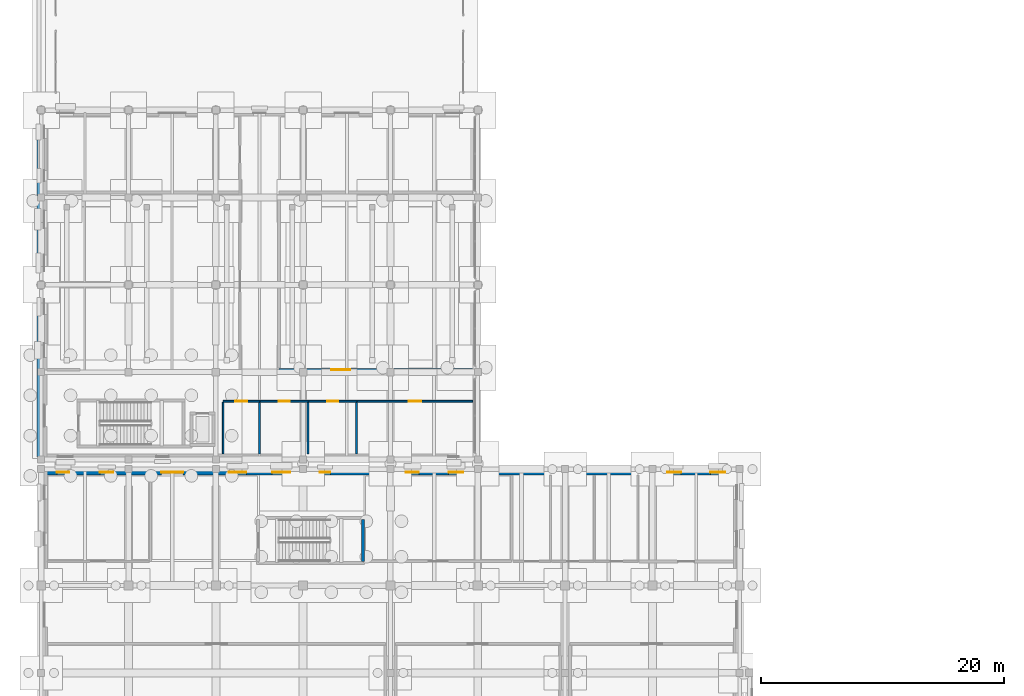
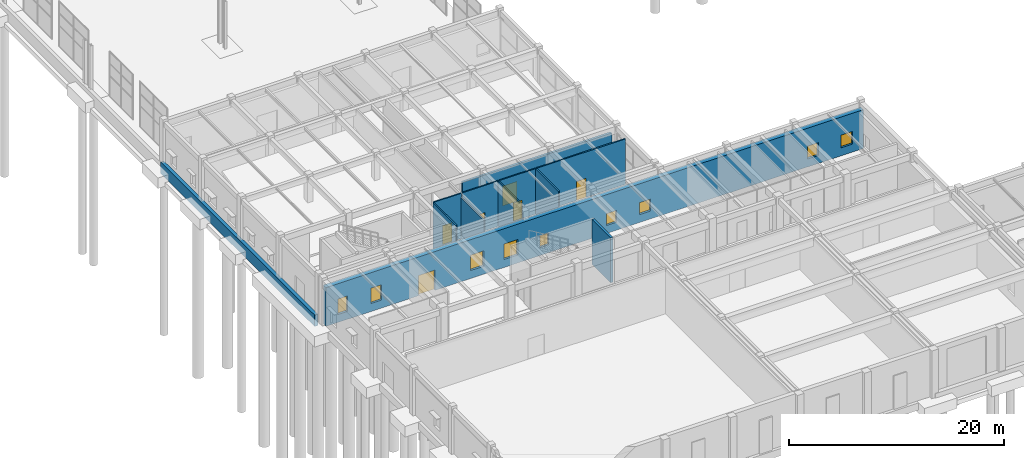
# One storey, part 67 of 91: 12 walls, 9 windows, 6 doors, 15 openings.
"""IFC4 building model written with IfcOpenShell, lengths in metres."""

from ifc_helpers import new_model, si_unit, direction, frame, frame_2d, origin, place, context, subcontext, project, spatial, rectangle, extrude, material, layer, layer_set, type_object, element, fill, save


model = new_model("IFC4")

# Units and contexts
model_context = context("Model", 3, precision=1e-05, world=origin(), true_north=direction((0.0, 1.0)))
body_context = subcontext(model_context, "Body", "Model", "MODEL_VIEW")
ifc_project = project(units=[si_unit("LENGTHUNIT", "METRE"), si_unit("AREAUNIT", "SQUARE_METRE"), si_unit("VOLUMEUNIT", "CUBIC_METRE"), si_unit("PLANEANGLEUNIT", "RADIAN"), si_unit("MASSUNIT", "GRAM", prefix="KILO")], contexts=[model_context])

# Site, building, storey
site_placement = place(None, origin())
site = spatial("IfcSite", under=ifc_project, at=site_placement, CompositionType="ELEMENT")
building_placement = place(site_placement, origin())
building = spatial("IfcBuilding", under=site, at=building_placement, Name="Bramveld Media Centre", CompositionType="ELEMENT")
storey_placement = place(building_placement, origin())
storey = spatial("IfcBuildingStorey", under=building, at=storey_placement, Name="L00", CompositionType="ELEMENT", Elevation=0.0)

# Wall
ifc_material_1 = material(Name="Concrete C40/50 stair & lift core wall", Category="concrete")
ifc_layer_1 = layer(ifc_material_1, 0.25)
ifc_layer_set_1 = layer_set([ifc_layer_1], Name="Concrete C40/50 stair & lift core wall")
wall_type_1 = type_object("IfcWallType", Name="CWALL-SHEAR-250", PredefinedType="SHEAR", material=ifc_layer_set_1)
wall_1_placement = place(storey_placement, frame((26.52490234375, 30.800048828125, 0.0), z_axis=(0.0, 0.0, 1.0), x_axis=(0.0, 1.0, 0.0)))
element("IfcWall", 1, at=wall_1_placement, inside=storey, type_object=wall_type_1, Name="ST-05 L00 stair core shear wall E", PredefinedType="SHEAR", context=body_context, shape_type="SweptSolid", body=[
    extrude(rectangle(XDim=3.449951171875, YDim=0.25, at=frame_2d((1.72509765625, 0.0))), origin(), (0.0, 0.0, 1.0), 5.10009765625),
])

# Wall, openings, door, windows
ifc_material_2 = material(Name="Double-leaf Concrete C40/50 cinema acoustic shell wall with brick outer leaf", Category="masonry")
ifc_layer_2 = layer(ifc_material_2, 0.5)
ifc_layer_set_2 = layer_set([ifc_layer_2], Name="Double-leaf Concrete C40/50 cinema acoustic shell wall with brick outer leaf")
wall_type_2 = type_object("IfcWallType", Name="EW-ACOU-500", PredefinedType="SOLIDWALL", material=ifc_layer_set_2)
wall_2_placement = place(storey_placement, frame((0.0, 38.14990234375, 0.0), z_axis=(0.0, 0.0, 1.0), x_axis=(1.0, 0.0, 0.0)))
wall_2 = element("IfcWall", 2, at=wall_2_placement, inside=storey, type_object=wall_type_2, Name="V2 L00 N facing brick exterior wall", PredefinedType="SOLIDWALL", context=body_context, shape_type="SweptSolid", body=[
    extrude(rectangle(XDim=57.60009765625, YDim=0.5, at=frame_2d((28.800048828125, 0.0))), origin(), (0.0, 0.0, 1.0), 4.39501953125),
])
opening_1_placement = place(wall_2_placement, frame((9.89990234375, 0.0, 0.0)))
opening_1 = element("IfcOpeningElement", 3, at=opening_1_placement, cuts=wall_2, Name="Opening ED-19", PredefinedType="OPENING", context=body_context, shape_type="SweptSolid", body=[
    extrude(rectangle(XDim=1.800048828125, YDim=2.300048828125, at=frame_2d((0.89990234375, 1.14990234375))), frame((0.0, 0.261962890625, 0.0), z_axis=(0.0, -1.0, 0.0), x_axis=(1.0, 0.0, 0.0)), (0.0, 0.0, 1.0), 0.52392578125),
])
opening_2_placement = place(wall_2_placement, frame((1.300048828125, 0.0, 0.89990234375)))
opening_2 = element("IfcOpeningElement", 4, at=opening_2_placement, cuts=wall_2, Name="Opening W-19", PredefinedType="OPENING", context=body_context, shape_type="SweptSolid", body=[
    extrude(rectangle(XDim=1.0, YDim=1.75, at=frame_2d((0.5, 0.875))), frame((0.0, 0.261962890625, 0.0), z_axis=(0.0, -1.0, 0.0), x_axis=(1.0, 0.0, 0.0)), (0.0, 0.0, 1.0), 0.52392578125),
])
opening_3_placement = place(wall_2_placement, frame((4.840087890625, 0.0, 0.89990234375)))
opening_3 = element("IfcOpeningElement", 5, at=opening_3_placement, cuts=wall_2, Name="Opening W-20", PredefinedType="OPENING", context=body_context, shape_type="SweptSolid", body=[
    extrude(rectangle(XDim=1.1201171875, YDim=1.75, at=frame_2d((0.56005859375, 0.875))), frame((0.0, 0.261962890625, 0.0), z_axis=(0.0, -1.0, 0.0), x_axis=(1.0, 0.0, 0.0)), (0.0, 0.0, 1.0), 0.52392578125),
])
opening_4_placement = place(wall_2_placement, frame((15.47998046875, 0.0, 0.89990234375)))
opening_4 = element("IfcOpeningElement", 6, at=opening_4_placement, cuts=wall_2, Name="Opening W-23", PredefinedType="OPENING", context=body_context, shape_type="SweptSolid", body=[
    extrude(rectangle(XDim=1.43994140625, YDim=1.75, at=frame_2d((0.719970703125, 0.875))), frame((0.0, 0.261962890625, 0.0), z_axis=(0.0, -1.0, 0.0), x_axis=(1.0, 0.0, 0.0)), (0.0, 0.0, 1.0), 0.52392578125),
])
opening_5_placement = place(wall_2_placement, frame((19.050048828125, 0.0, 0.89990234375)))
opening_5 = element("IfcOpeningElement", 7, at=opening_5_placement, cuts=wall_2, Name="Opening W-24", PredefinedType="OPENING", context=body_context, shape_type="SweptSolid", body=[
    extrude(rectangle(XDim=1.5, YDim=1.75, at=frame_2d((0.75, 0.875))), frame((0.0, 0.261962890625, 0.0), z_axis=(0.0, -1.0, 0.0), x_axis=(1.0, 0.0, 0.0)), (0.0, 0.0, 1.0), 0.52392578125),
])
opening_6_placement = place(wall_2_placement, frame((22.949951171875, 0.0, 0.89990234375)))
opening_6 = element("IfcOpeningElement", 8, at=opening_6_placement, cuts=wall_2, Name="Opening W-01", PredefinedType="OPENING", context=body_context, shape_type="SweptSolid", body=[
    extrude(rectangle(XDim=0.89990234375, YDim=1.35009765625, at=frame_2d((0.449951171875, 0.675048828125))), frame((0.0, 0.261962890625, 0.0), z_axis=(0.0, -1.0, 0.0), x_axis=(1.0, 0.0, 0.0)), (0.0, 0.0, 1.0), 0.52392578125),
])
opening_7_placement = place(wall_2_placement, frame((30.050048828125, 0.0, 0.89990234375)))
opening_7 = element("IfcOpeningElement", 9, at=opening_7_placement, cuts=wall_2, Name="Opening W-03", PredefinedType="OPENING", context=body_context, shape_type="SweptSolid", body=[
    extrude(rectangle(XDim=1.10009765625, YDim=1.35009765625, at=frame_2d((0.550048828125, 0.675048828125))), frame((0.0, 0.261962890625, 0.0), z_axis=(0.0, -1.0, 0.0), x_axis=(1.0, 0.0, 0.0)), (0.0, 0.0, 1.0), 0.52392578125),
])
opening_8_placement = place(wall_2_placement, frame((33.60009765625, 0.0, 0.89990234375)))
opening_8 = element("IfcOpeningElement", 10, at=opening_8_placement, cuts=wall_2, Name="Opening W-04", PredefinedType="OPENING", context=body_context, shape_type="SweptSolid", body=[
    extrude(rectangle(XDim=1.199951171875, YDim=1.35009765625, at=frame_2d((0.60009765625, 0.675048828125))), frame((0.0, 0.261962890625, 0.0), z_axis=(0.0, -1.0, 0.0), x_axis=(1.0, 0.0, 0.0)), (0.0, 0.0, 1.0), 0.52392578125),
])
opening_9_placement = place(wall_2_placement, frame((51.625, 0.0, 0.89990234375)))
opening_9 = element("IfcOpeningElement", 11, at=opening_9_placement, cuts=wall_2, Name="Opening W-09", PredefinedType="OPENING", context=body_context, shape_type="SweptSolid", body=[
    extrude(rectangle(XDim=1.14990234375, YDim=1.449951171875, at=frame_2d((0.574951171875, 0.72509765625))), frame((0.0, 0.261962890625, 0.0), z_axis=(0.0, -1.0, 0.0), x_axis=(1.0, 0.0, 0.0)), (0.0, 0.0, 1.0), 0.52392578125),
])
opening_10_placement = place(wall_2_placement, frame((55.175048828125, 0.0, 0.89990234375)))
opening_10 = element("IfcOpeningElement", 12, at=opening_10_placement, cuts=wall_2, Name="Opening W-10", PredefinedType="OPENING", context=body_context, shape_type="SweptSolid", body=[
    extrude(rectangle(XDim=1.25, YDim=1.449951171875, at=frame_2d((0.625, 0.72509765625))), frame((0.0, 0.261962890625, 0.0), z_axis=(0.0, -1.0, 0.0), x_axis=(1.0, 0.0, 0.0)), (0.0, 0.0, 1.0), 0.52392578125),
])
ifc_material_3 = material(Name="Insulated powder-coated bronze aluminium & laminated safety glass door", Category="aluminium")
door_type_1 = type_object("IfcDoorType", Name="DR-EXT-1800", OperationType="NOTDEFINED", PredefinedType="DOOR", material=ifc_material_3)
door_1_placement = place(opening_1_placement, origin())
door_1 = element("IfcDoor", 13, at=door_1_placement, inside=storey, type_object=door_type_1, Name="Exterior door ED-19", OperationType="DOUBLE_DOOR_SINGLE_SWING", OverallHeight=2.300048828125, OverallWidth=1.800048828125, PredefinedType="DOOR", context=body_context, shape_type="SweptSolid", body=[
    extrude(rectangle(XDim=1.800048828125, YDim=2.300048828125, at=frame_2d((0.89990234375, 1.14990234375))), frame((0.0, 0.02490234375, 0.0), z_axis=(0.0, -1.0, 0.0), x_axis=(1.0, 0.0, 0.0)), (0.0, 0.0, 1.0), 0.050048828125),
])
fill(opening_1, door_1)
ifc_material_4 = material(Name="Thermally broken anodized bronze aluminium frame with triple acoustic glazing", Category="aluminium")
window_type_1 = type_object("IfcWindowType", Name="WIN-FAC-01", PartitioningType="SINGLE_PANEL", PredefinedType="WINDOW", material=ifc_material_4)
window_1_placement = place(opening_6_placement, origin())
window_1 = element("IfcWindow", 14, at=window_1_placement, inside=storey, type_object=window_type_1, Name="V2 L00 N acoustic facade window", OverallHeight=1.35009765625, OverallWidth=0.89990234375, PartitioningType="SINGLE_PANEL", PredefinedType="WINDOW", context=body_context, shape_type="SweptSolid", body=[
    extrude(rectangle(XDim=0.89990234375, YDim=1.35009765625, at=frame_2d((0.449951171875, 0.675048828125))), frame((0.0, 0.030029296875, 0.0), z_axis=(0.0, -1.0, 0.0), x_axis=(1.0, 0.0, 0.0)), (0.0, 0.0, 1.0), 0.06005859375),
])
fill(opening_6, window_1)
ifc_material_5 = material(Name="Thermally broken anodized bronze aluminium frame with triple acoustic glazing", Category="aluminium")
window_type_2 = type_object("IfcWindowType", Name="WIN-FAC-03", PartitioningType="SINGLE_PANEL", PredefinedType="WINDOW", material=ifc_material_5)
window_2_placement = place(opening_7_placement, origin())
window_2 = element("IfcWindow", 15, at=window_2_placement, inside=storey, type_object=window_type_2, Name="V2 L00 N acoustic facade window", OverallHeight=1.35009765625, OverallWidth=1.10009765625, PartitioningType="SINGLE_PANEL", PredefinedType="WINDOW", context=body_context, shape_type="SweptSolid", body=[
    extrude(rectangle(XDim=1.10009765625, YDim=1.35009765625, at=frame_2d((0.550048828125, 0.675048828125))), frame((0.0, 0.030029296875, 0.0), z_axis=(0.0, -1.0, 0.0), x_axis=(1.0, 0.0, 0.0)), (0.0, 0.0, 1.0), 0.06005859375),
])
fill(opening_7, window_2)
ifc_material_6 = material(Name="Thermally broken anodized bronze aluminium frame with triple acoustic glazing", Category="aluminium")
window_type_3 = type_object("IfcWindowType", Name="WIN-FAC-04", PartitioningType="SINGLE_PANEL", PredefinedType="WINDOW", material=ifc_material_6)
window_3_placement = place(opening_8_placement, origin())
window_3 = element("IfcWindow", 16, at=window_3_placement, inside=storey, type_object=window_type_3, Name="V2 L00 N acoustic facade window", OverallHeight=1.35009765625, OverallWidth=1.199951171875, PartitioningType="SINGLE_PANEL", PredefinedType="WINDOW", context=body_context, shape_type="SweptSolid", body=[
    extrude(rectangle(XDim=1.199951171875, YDim=1.35009765625, at=frame_2d((0.60009765625, 0.675048828125))), frame((0.0, 0.030029296875, 0.0), z_axis=(0.0, -1.0, 0.0), x_axis=(1.0, 0.0, 0.0)), (0.0, 0.0, 1.0), 0.06005859375),
])
fill(opening_8, window_3)
ifc_material_7 = material(Name="Thermally broken anodized bronze aluminium frame with triple acoustic glazing", Category="aluminium")
window_type_4 = type_object("IfcWindowType", Name="WIN-FAC-09", PartitioningType="SINGLE_PANEL", PredefinedType="WINDOW", material=ifc_material_7)
window_4_placement = place(opening_9_placement, origin())
window_4 = element("IfcWindow", 17, at=window_4_placement, inside=storey, type_object=window_type_4, Name="V2 L00 N acoustic facade window", OverallHeight=1.449951171875, OverallWidth=1.14990234375, PartitioningType="SINGLE_PANEL", PredefinedType="WINDOW", context=body_context, shape_type="SweptSolid", body=[
    extrude(rectangle(XDim=1.14990234375, YDim=1.449951171875, at=frame_2d((0.574951171875, 0.72509765625))), frame((0.0, 0.030029296875, 0.0), z_axis=(0.0, -1.0, 0.0), x_axis=(1.0, 0.0, 0.0)), (0.0, 0.0, 1.0), 0.06005859375),
])
fill(opening_9, window_4)
ifc_material_8 = material(Name="Thermally broken anodized bronze aluminium frame with triple acoustic glazing", Category="aluminium")
window_type_5 = type_object("IfcWindowType", Name="WIN-FAC-10", PartitioningType="SINGLE_PANEL", PredefinedType="WINDOW", material=ifc_material_8)
window_5_placement = place(opening_10_placement, origin())
window_5 = element("IfcWindow", 18, at=window_5_placement, inside=storey, type_object=window_type_5, Name="V2 L00 N acoustic facade window", OverallHeight=1.449951171875, OverallWidth=1.25, PartitioningType="SINGLE_PANEL", PredefinedType="WINDOW", context=body_context, shape_type="SweptSolid", body=[
    extrude(rectangle(XDim=1.25, YDim=1.449951171875, at=frame_2d((0.625, 0.72509765625))), frame((0.0, 0.030029296875, 0.0), z_axis=(0.0, -1.0, 0.0), x_axis=(1.0, 0.0, 0.0)), (0.0, 0.0, 1.0), 0.06005859375),
])
fill(opening_10, window_5)
ifc_material_9 = material(Name="Thermally broken anodized bronze aluminium frame with triple acoustic glazing", Category="aluminium")
window_type_6 = type_object("IfcWindowType", Name="WIN-FAC-19", PartitioningType="SINGLE_PANEL", PredefinedType="WINDOW", material=ifc_material_9)
window_6_placement = place(opening_2_placement, origin())
window_6 = element("IfcWindow", 19, at=window_6_placement, inside=storey, type_object=window_type_6, Name="V2 L00 N acoustic facade window", OverallHeight=1.75, OverallWidth=1.0, PartitioningType="SINGLE_PANEL", PredefinedType="WINDOW", context=body_context, shape_type="SweptSolid", body=[
    extrude(rectangle(XDim=1.0, YDim=1.75, at=frame_2d((0.5, 0.875))), frame((0.0, 0.030029296875, 0.0), z_axis=(0.0, -1.0, 0.0), x_axis=(1.0, 0.0, 0.0)), (0.0, 0.0, 1.0), 0.06005859375),
])
fill(opening_2, window_6)
ifc_material_10 = material(Name="Thermally broken anodized bronze aluminium frame with triple acoustic glazing", Category="aluminium")
window_type_7 = type_object("IfcWindowType", Name="WIN-FAC-20", PartitioningType="SINGLE_PANEL", PredefinedType="WINDOW", material=ifc_material_10)
window_7_placement = place(opening_3_placement, origin())
window_7 = element("IfcWindow", 20, at=window_7_placement, inside=storey, type_object=window_type_7, Name="V2 L00 N acoustic facade window", OverallHeight=1.75, OverallWidth=1.1201171875, PartitioningType="SINGLE_PANEL", PredefinedType="WINDOW", context=body_context, shape_type="SweptSolid", body=[
    extrude(rectangle(XDim=1.1201171875, YDim=1.75, at=frame_2d((0.56005859375, 0.875))), frame((0.0, 0.030029296875, 0.0), z_axis=(0.0, -1.0, 0.0), x_axis=(1.0, 0.0, 0.0)), (0.0, 0.0, 1.0), 0.06005859375),
])
fill(opening_3, window_7)
ifc_material_11 = material(Name="Thermally broken anodized bronze aluminium frame with triple acoustic glazing", Category="aluminium")
window_type_8 = type_object("IfcWindowType", Name="WIN-FAC-23", PartitioningType="SINGLE_PANEL", PredefinedType="WINDOW", material=ifc_material_11)
window_8_placement = place(opening_4_placement, origin())
window_8 = element("IfcWindow", 21, at=window_8_placement, inside=storey, type_object=window_type_8, Name="V2 L00 N acoustic facade window", OverallHeight=1.75, OverallWidth=1.43994140625, PartitioningType="SINGLE_PANEL", PredefinedType="WINDOW", context=body_context, shape_type="SweptSolid", body=[
    extrude(rectangle(XDim=1.43994140625, YDim=1.75, at=frame_2d((0.719970703125, 0.875))), frame((0.0, 0.030029296875, 0.0), z_axis=(0.0, -1.0, 0.0), x_axis=(1.0, 0.0, 0.0)), (0.0, 0.0, 1.0), 0.06005859375),
])
fill(opening_4, window_8)
ifc_material_12 = material(Name="Thermally broken anodized bronze aluminium frame with triple acoustic glazing", Category="aluminium")
window_type_9 = type_object("IfcWindowType", Name="WIN-FAC-24", PartitioningType="SINGLE_PANEL", PredefinedType="WINDOW", material=ifc_material_12)
window_9_placement = place(opening_5_placement, origin())
window_9 = element("IfcWindow", 22, at=window_9_placement, inside=storey, type_object=window_type_9, Name="V2 L00 N acoustic facade window", OverallHeight=1.75, OverallWidth=1.5, PartitioningType="SINGLE_PANEL", PredefinedType="WINDOW", context=body_context, shape_type="SweptSolid", body=[
    extrude(rectangle(XDim=1.5, YDim=1.75, at=frame_2d((0.75, 0.875))), frame((0.0, 0.030029296875, 0.0), z_axis=(0.0, -1.0, 0.0), x_axis=(1.0, 0.0, 0.0)), (0.0, 0.0, 1.0), 0.06005859375),
])
fill(opening_5, window_9)

# Wall, opening, door
ifc_material_13 = material(Name="Double-stud acoustic gypsum & mineral-wool studio wall", Category="gypsum")
ifc_layer_3 = layer(ifc_material_13, 0.239990234375)
ifc_layer_set_3 = layer_set([ifc_layer_3], Name="Double-stud acoustic gypsum & mineral-wool studio wall")
wall_type_3 = type_object("IfcWallType", Name="IW-ACOU-240", PredefinedType="PARTITIONING", material=ifc_layer_set_3)
wall_3_placement = place(storey_placement, frame((19.60009765625, 46.60009765625, 0.0), z_axis=(0.0, 0.0, 1.0), x_axis=(1.0, 0.0, 0.0)))
wall_3 = element("IfcWall", 23, at=wall_3_placement, inside=storey, type_object=wall_type_3, Name="Cinema 4 Documentary Auditorium partition wall", PredefinedType="PARTITIONING", context=body_context, shape_type="SweptSolid", body=[
    extrude(rectangle(XDim=15.98486328125, YDim=0.239990234375, at=frame_2d((7.992431640625, 0.0))), origin(), (0.0, 0.0, 1.0), 4.264892578125),
])
opening_11_placement = place(wall_3_placement, frame((4.327392578125, 0.0, 0.0)))
opening_11 = element("IfcOpeningElement", 24, at=opening_11_placement, cuts=wall_3, Name="Opening D-00-018", PredefinedType="OPENING", context=body_context, shape_type="SweptSolid", body=[
    extrude(rectangle(XDim=1.56005859375, YDim=2.25, at=frame_2d((0.780029296875, 1.125))), frame((0.0, 0.1318359375, 0.0), z_axis=(0.0, -1.0, 0.0), x_axis=(1.0, 0.0, 0.0)), (0.0, 0.0, 1.0), 0.263916015625),
])
ifc_material_14 = material(Name="Fire-rated acoustic timber & steel composite door", Category="steel")
door_type_2 = type_object("IfcDoorType", Name="DR-HALL-1560", OperationType="NOTDEFINED", PredefinedType="DOOR", material=ifc_material_14)
door_2_placement = place(opening_11_placement, origin())
door_2 = element("IfcDoor", 25, at=door_2_placement, inside=storey, type_object=door_type_2, Name="Cinema 4 Documentary Auditorium entrance door", OperationType="DOUBLE_DOOR_SINGLE_SWING", OverallHeight=2.25, OverallWidth=1.56005859375, PredefinedType="DOOR", context=body_context, shape_type="SweptSolid", body=[
    extrude(rectangle(XDim=1.56005859375, YDim=2.25, at=frame_2d((0.780029296875, 1.125))), frame((0.0, 0.02490234375, 0.0), z_axis=(0.0, -1.0, 0.0), x_axis=(1.0, 0.0, 0.0)), (0.0, 0.0, 1.0), 0.050048828125),
])
fill(opening_11, door_2)

ifc_material_15 = material(Name="Insulated metal-stud gypsum room partition", Category="gypsum")
ifc_layer_4 = layer(ifc_material_15, 0.14990234375)
ifc_layer_set_4 = layer_set([ifc_layer_4], Name="Insulated metal-stud gypsum room partition")
wall_type_4 = type_object("IfcWallType", Name="IW-PART-150", PredefinedType="PARTITIONING", material=ifc_layer_set_4)
wall_4_placement = place(storey_placement, frame((26.080078125, 44.0, 0.0), z_axis=(0.0, 0.0, 1.0), x_axis=(1.0, 0.0, 0.0)))
wall_4 = element("IfcWall", 26, at=wall_4_placement, inside=storey, type_object=wall_type_4, Name="Indoor Covered Bicycle Store partition wall", PredefinedType="PARTITIONING", context=body_context, shape_type="SweptSolid", body=[
    extrude(rectangle(XDim=9.5048828125, YDim=0.14990234375, at=frame_2d((4.75244140625, 0.0))), origin(), (0.0, 0.0, 1.0), 5.139892578125),
])
opening_12_placement = place(wall_4_placement, frame((4.232421875, 0.0, 0.0)))
opening_12 = element("IfcOpeningElement", 27, at=opening_12_placement, cuts=wall_4, Name="Opening D-00-023", PredefinedType="OPENING", context=body_context, shape_type="SweptSolid", body=[
    extrude(rectangle(XDim=1.0400390625, YDim=2.14990234375, at=frame_2d((0.52001953125, 1.074951171875))), frame((0.0, 0.0869140625, 0.0), z_axis=(0.0, -1.0, 0.0), x_axis=(1.0, 0.0, 0.0)), (0.0, 0.0, 1.0), 0.173828125),
])
ifc_material_16 = material(Name="Solid-core European oak acoustic timber leaf in steel frame", Category="steel")
door_type_3 = type_object("IfcDoorType", Name="DR-RM-1040", OperationType="NOTDEFINED", PredefinedType="DOOR", material=ifc_material_16)
door_3_placement = place(opening_12_placement, origin())
door_3 = element("IfcDoor", 28, at=door_3_placement, inside=storey, type_object=door_type_3, Name="Indoor Covered Bicycle Store entrance door", OperationType="SINGLE_SWING_RIGHT", OverallHeight=2.14990234375, OverallWidth=1.0400390625, PredefinedType="DOOR", context=body_context, shape_type="SweptSolid", body=[
    extrude(rectangle(XDim=1.0400390625, YDim=2.14990234375, at=frame_2d((0.52001953125, 1.074951171875))), frame((0.0, 0.02490234375, 0.0), z_axis=(0.0, -1.0, 0.0), x_axis=(1.0, 0.0, 0.0)), (0.0, 0.0, 1.0), 0.050048828125),
])
fill(opening_12, door_3)

ifc_material_17 = material(Name="Moisture-resistant cement-board sanitary partition", Category="gypsum")
ifc_layer_5 = layer(ifc_material_17, 0.139892578125)
ifc_layer_set_5 = layer_set([ifc_layer_5], Name="Moisture-resistant cement-board sanitary partition")
wall_type_5 = type_object("IfcWallType", Name="IW-WET-140", PredefinedType="PARTITIONING", material=ifc_layer_set_5)
wall_5_placement = place(storey_placement, frame((15.0, 44.0, 0.0), z_axis=(0.0, 0.0, 1.0), x_axis=(1.0, 0.0, 0.0)))
wall_5 = element("IfcWall", 29, at=wall_5_placement, inside=storey, type_object=wall_type_5, Name="Accessible WC partition wall", PredefinedType="PARTITIONING", context=body_context, shape_type="SweptSolid", body=[
    extrude(rectangle(XDim=3.0, YDim=0.139892578125, at=frame_2d((1.5, 0.0))), origin(), (0.0, 0.0, 1.0), 5.139892578125),
])
opening_13_placement = place(wall_5_placement, frame((1.0, 0.0, 0.0)))
opening_13 = element("IfcOpeningElement", 30, at=opening_13_placement, cuts=wall_5, Name="Opening D-00-020", PredefinedType="OPENING", context=body_context, shape_type="SweptSolid", body=[
    extrude(rectangle(XDim=1.0, YDim=2.10009765625, at=frame_2d((0.5, 1.050048828125))), frame((0.0, 0.08203125, 0.0), z_axis=(0.0, -1.0, 0.0), x_axis=(1.0, 0.0, 0.0)), (0.0, 0.0, 1.0), 0.163818359375),
])
ifc_material_18 = material(Name="Solid-core European oak acoustic timber leaf in steel frame", Category="steel")
door_type_4 = type_object("IfcDoorType", Name="DR-WC-PMR-1000", OperationType="NOTDEFINED", PredefinedType="DOOR", material=ifc_material_18)
door_4_placement = place(opening_13_placement, origin())
door_4 = element("IfcDoor", 31, at=door_4_placement, inside=storey, type_object=door_type_4, Name="Accessible WC entrance door", OperationType="SINGLE_SWING_LEFT", OverallHeight=2.10009765625, OverallWidth=1.0, PredefinedType="DOOR", context=body_context, shape_type="SweptSolid", body=[
    extrude(rectangle(XDim=1.0, YDim=2.10009765625, at=frame_2d((0.5, 1.050048828125))), frame((0.0, 0.02490234375, 0.0), z_axis=(0.0, -1.0, 0.0), x_axis=(1.0, 0.0, 0.0)), (0.0, 0.0, 1.0), 0.050048828125),
])
fill(opening_13, door_4)

# Walls
wall_6_placement = place(storey_placement, frame((15.0, 39.669921875, 0.0), z_axis=(0.0, 0.0, 1.0), x_axis=(0.0, 1.0, 0.0)))
element("IfcWall", 32, at=wall_6_placement, inside=storey, type_object=wall_type_5, Name="Accessible WC partition wall", PredefinedType="PARTITIONING", context=body_context, shape_type="SweptSolid", body=[
    extrude(rectangle(XDim=4.25, YDim=0.139892578125, at=frame_2d((2.125, 0.0))), origin(), (0.0, 0.0, 1.0), 5.139892578125),
])
wall_7_placement = place(storey_placement, frame((18.0, 39.669921875, 0.0), z_axis=(0.0, 0.0, 1.0), x_axis=(0.0, 1.0, 0.0)))
element("IfcWall", 33, at=wall_7_placement, inside=storey, type_object=wall_type_5, Name="Accessible WC partition wall", PredefinedType="PARTITIONING", context=body_context, shape_type="SweptSolid", body=[
    extrude(rectangle(XDim=4.25, YDim=0.139892578125, at=frame_2d((2.125, 0.0))), origin(), (0.0, 0.0, 1.0), 4.6650390625),
])

# Wall, opening, door
wall_8_placement = place(storey_placement, frame((18.080078125, 44.0, 0.0), z_axis=(0.0, 0.0, 1.0), x_axis=(1.0, 0.0, 0.0)))
wall_8 = element("IfcWall", 34, at=wall_8_placement, inside=storey, type_object=wall_type_5, Name="Male WC partition wall", PredefinedType="PARTITIONING", context=body_context, shape_type="SweptSolid", body=[
    extrude(rectangle(XDim=3.919921875, YDim=0.139892578125, at=frame_2d((1.9599609375, 0.0))), origin(), (0.0, 0.0, 1.0), 5.139892578125),
])
opening_14_placement = place(wall_8_placement, frame((1.5048828125, 0.0, 0.0)))
opening_14 = element("IfcOpeningElement", 35, at=opening_14_placement, cuts=wall_8, Name="Opening D-00-021", PredefinedType="OPENING", context=body_context, shape_type="SweptSolid", body=[
    extrude(rectangle(XDim=0.909912109375, YDim=2.06005859375, at=frame_2d((0.455078125, 1.030029296875))), frame((0.0, 0.08203125, 0.0), z_axis=(0.0, -1.0, 0.0), x_axis=(1.0, 0.0, 0.0)), (0.0, 0.0, 1.0), 0.163818359375),
])
ifc_material_19 = material(Name="Solid-core European oak acoustic timber leaf in steel frame", Category="steel")
door_type_5 = type_object("IfcDoorType", Name="DR-WC-0910", OperationType="NOTDEFINED", PredefinedType="DOOR", material=ifc_material_19)
door_5_placement = place(opening_14_placement, origin())
door_5 = element("IfcDoor", 36, at=door_5_placement, inside=storey, type_object=door_type_5, Name="Male WC entrance door", OperationType="SINGLE_SWING_RIGHT", OverallHeight=2.06005859375, OverallWidth=0.909912109375, PredefinedType="DOOR", context=body_context, shape_type="SweptSolid", body=[
    extrude(rectangle(XDim=0.909912109375, YDim=2.06005859375, at=frame_2d((0.455078125, 1.030029296875))), frame((0.0, 0.02490234375, 0.0), z_axis=(0.0, -1.0, 0.0), x_axis=(1.0, 0.0, 0.0)), (0.0, 0.0, 1.0), 0.050048828125),
])
fill(opening_14, door_5)

# Wall
wall_9_placement = place(storey_placement, frame((22.0, 39.669921875, 0.0), z_axis=(0.0, 0.0, 1.0), x_axis=(0.0, 1.0, 0.0)))
element("IfcWall", 37, at=wall_9_placement, inside=storey, type_object=wall_type_5, Name="Male WC partition wall", PredefinedType="PARTITIONING", context=body_context, shape_type="SweptSolid", body=[
    extrude(rectangle(XDim=4.25, YDim=0.139892578125, at=frame_2d((2.125, 0.0))), origin(), (0.0, 0.0, 1.0), 5.139892578125),
])

# Wall, opening, door
wall_10_placement = place(storey_placement, frame((22.080078125, 44.0, 0.0), z_axis=(0.0, 0.0, 1.0), x_axis=(1.0, 0.0, 0.0)))
wall_10 = element("IfcWall", 38, at=wall_10_placement, inside=storey, type_object=wall_type_5, Name="Female WC partition wall", PredefinedType="PARTITIONING", context=body_context, shape_type="SweptSolid", body=[
    extrude(rectangle(XDim=3.919921875, YDim=0.139892578125, at=frame_2d((1.9599609375, 0.0))), origin(), (0.0, 0.0, 1.0), 5.139892578125),
])
opening_15_placement = place(wall_10_placement, frame((1.514892578125, 0.0, 0.0)))
opening_15 = element("IfcOpeningElement", 39, at=opening_15_placement, cuts=wall_10, Name="Opening D-00-022", PredefinedType="OPENING", context=body_context, shape_type="SweptSolid", body=[
    extrude(rectangle(XDim=0.889892578125, YDim=2.050048828125, at=frame_2d((0.44482421875, 1.02490234375))), frame((0.0, 0.08203125, 0.0), z_axis=(0.0, -1.0, 0.0), x_axis=(1.0, 0.0, 0.0)), (0.0, 0.0, 1.0), 0.163818359375),
])
ifc_material_20 = material(Name="Solid-core European oak acoustic timber leaf in steel frame", Category="steel")
door_type_6 = type_object("IfcDoorType", Name="DR-WC-0890", OperationType="NOTDEFINED", PredefinedType="DOOR", material=ifc_material_20)
door_6_placement = place(opening_15_placement, origin())
door_6 = element("IfcDoor", 40, at=door_6_placement, inside=storey, type_object=door_type_6, Name="Female WC entrance door", OperationType="SINGLE_SWING_LEFT", OverallHeight=2.050048828125, OverallWidth=0.889892578125, PredefinedType="DOOR", context=body_context, shape_type="SweptSolid", body=[
    extrude(rectangle(XDim=0.889892578125, YDim=2.050048828125, at=frame_2d((0.44482421875, 1.02490234375))), frame((0.0, 0.02490234375, 0.0), z_axis=(0.0, -1.0, 0.0), x_axis=(1.0, 0.0, 0.0)), (0.0, 0.0, 1.0), 0.050048828125),
])
fill(opening_15, door_6)

# Walls
wall_11_placement = place(storey_placement, frame((26.0, 39.669921875, 0.0), z_axis=(0.0, 0.0, 1.0), x_axis=(0.0, 1.0, 0.0)))
element("IfcWall", 41, at=wall_11_placement, inside=storey, type_object=wall_type_5, Name="Female WC partition wall", PredefinedType="PARTITIONING", context=body_context, shape_type="SweptSolid", body=[
    extrude(rectangle(XDim=4.25, YDim=0.139892578125, at=frame_2d((2.125, 0.0))), origin(), (0.0, 0.0, 1.0), 5.139892578125),
])
ifc_material_21 = material(Name="Concrete C35/45 site canal-edge retaining wall", Category="concrete")
ifc_layer_6 = layer(ifc_material_21, 0.360107421875)
ifc_layer_set_6 = layer_set([ifc_layer_6], Name="Concrete C35/45 site canal-edge retaining wall")
wall_type_6 = type_object("IfcWallType", Name="RETAIN-360", PredefinedType="USERDEFINED", material=ifc_layer_set_6)
wall_12_placement = place(storey_placement, frame((-0.179931640625, 39.39990234375, -0.800048828125), z_axis=(0.0, 0.0, 1.0), x_axis=(0.0, 1.0, 0.0)))
element("IfcWall", 42, at=wall_12_placement, inside=storey, type_object=wall_type_6, Name="Site retaining wall RW-PARK-01", ObjectType="RETAININGWALL", PredefinedType="USERDEFINED", context=body_context, shape_type="SweptSolid", body=[
    extrude(rectangle(XDim=28.60009765625, YDim=0.360107421875, at=frame_2d((14.300048828125, 0.0))), origin(), (0.0, 0.0, 1.0), 1.300048828125),
])

save(model, "model.ifc")
